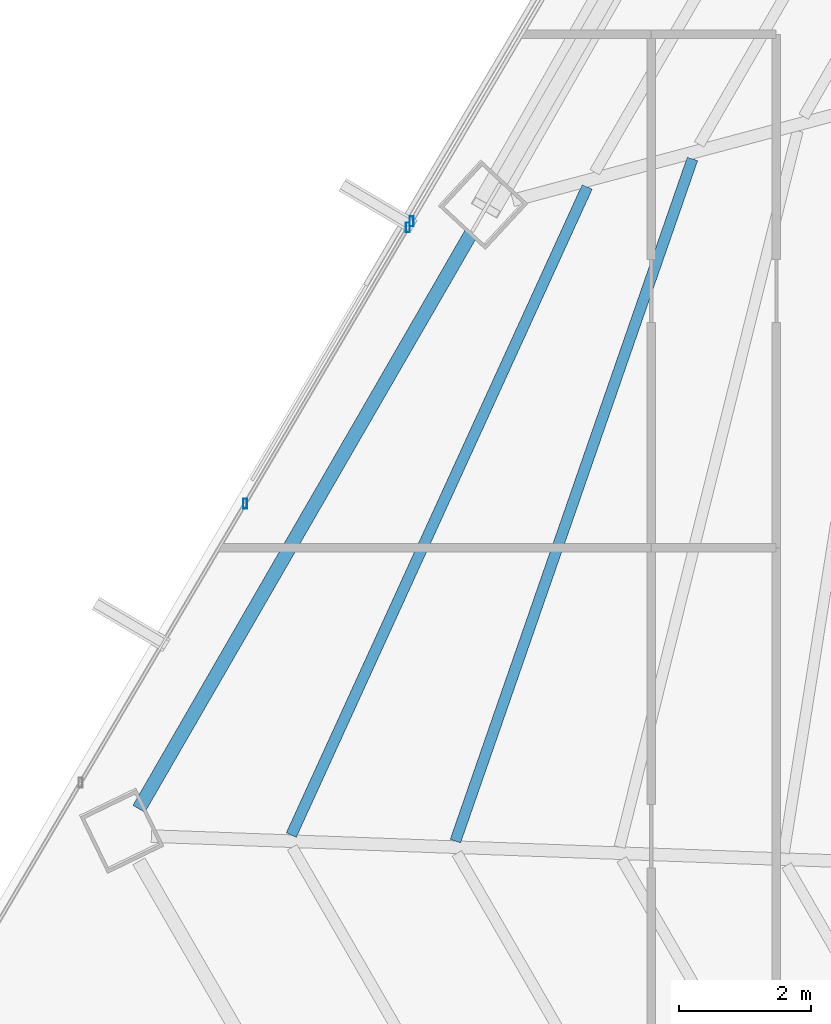
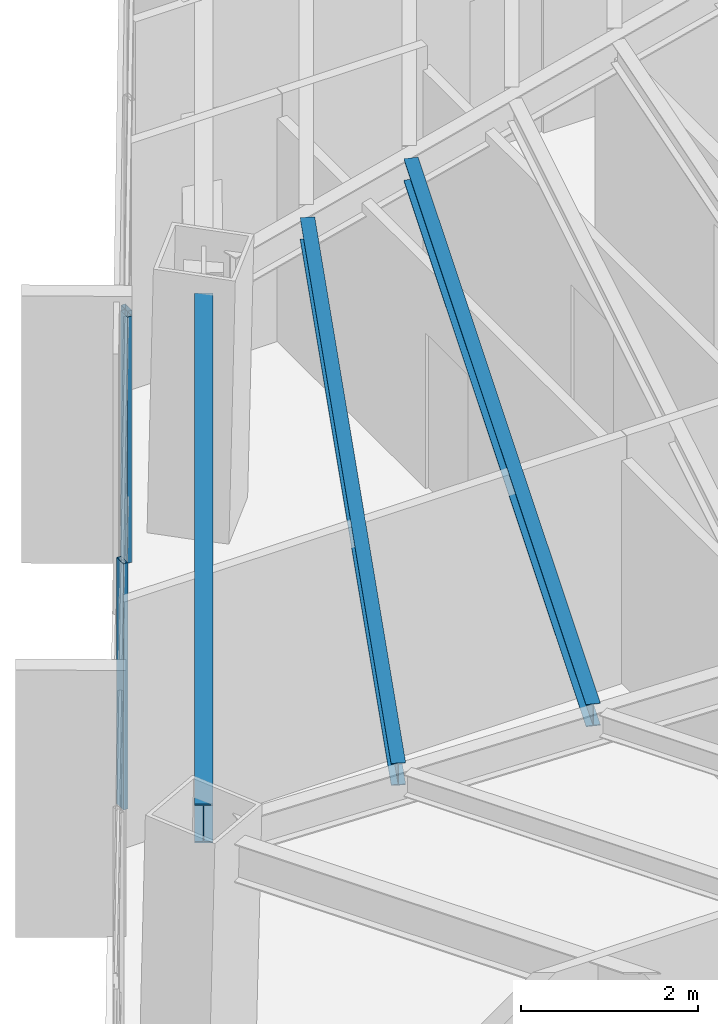
# One storey, part 12 of 41: 3 beams, 3 members, 2 elements without a shape of their own.
"""IFC4 building model written with IfcOpenShell, lengths in metres."""

from ifc_helpers import new_model, si_unit, direction, frame, origin, origin_2d, place, context, subcontext, project, spatial, hollow_rectangle, i_section, extrude, source, transform, mapped, material, material_profile, profile_set, type_object, type_shapes, element, aggregate, save


model = new_model("IFC4")

# Units and contexts
model_context = context("Model", 3, precision=1e-05, world=origin(), true_north=direction((0.0, 1.0)))
body_context = subcontext(model_context, "Body", "Model", "MODEL_VIEW")
ifc_project = project(units=[si_unit("LENGTHUNIT", "METRE"), si_unit("AREAUNIT", "SQUARE_METRE"), si_unit("VOLUMEUNIT", "CUBIC_METRE"), si_unit("PLANEANGLEUNIT", "RADIAN"), si_unit("MASSUNIT", "GRAM", prefix="KILO")], contexts=[model_context])

# Site, building, storey
site_placement = place(None, origin())
site = spatial("IfcSite", under=ifc_project, at=site_placement, CompositionType="ELEMENT")
building_placement = place(site_placement, origin())
building = spatial("IfcBuilding", under=site, at=building_placement, Name="Caelisora Broadcast Tower", CompositionType="ELEMENT")
storey_placement = place(building_placement, frame((0.0, 0.0, 162.14990234375)))
storey = spatial("IfcBuildingStorey", under=building, at=storey_placement, Name="L42", CompositionType="ELEMENT", Elevation=162.14990234375)

# Beams
ifc_material_1 = material(Name="Steel Grade 350 (AS/NZS 3679.1)", Category="steel")
ifc_material_profile_1 = material_profile(ifc_material_1, i_section(OverallWidth=0.208984375, OverallDepth=0.532958984375, WebThickness=0.01025390625, FlangeThickness=0.015625, at=origin_2d()), Name="Steel Grade 350 (AS/NZS 3679.1)")
ifc_profile_set_1 = profile_set([ifc_material_profile_1], Name="Steel Grade 350 (AS/NZS 3679.1)")
beam_type_1 = type_object("IfcBeamType", Name="PG05", PredefinedType="BEAM", material=ifc_profile_set_1)
shared_shape_1 = source(origin(), body_context, "Body", "SweptSolid", [
    extrude(i_section(OverallWidth=0.208984375, OverallDepth=0.532958984375, WebThickness=0.01025390625, FlangeThickness=0.015625, at=origin_2d()), origin(), (0.0, 0.0, 1.0), 10.07568359375),
])
type_shapes(beam_type_1, [shared_shape_1])
beam_1_placement = place(storey_placement, frame((20.763916015625, 27.071533203125, 3.133544921875), z_axis=(-0.49999861938, -0.866026200884, 0.0), x_axis=(0.866026200884, -0.49999861938, 0.0)))
element("IfcBeam", 1, at=beam_1_placement, inside=storey, type_object=beam_type_1, Name="L42 beam PG05", PredefinedType="BEAM", context=body_context, shape_type="MappedRepresentation", body=[
    mapped(shared_shape_1, transform((0.0, 0.0, 0.0), scale=1.0)),
])
ifc_material_profile_2 = material_profile(ifc_material_1, i_section(OverallWidth=0.166015625, OverallDepth=0.30712890625, WebThickness=0.006591796875, FlangeThickness=0.01171875, at=origin_2d()), Name="Steel Grade 350 (AS/NZS 3679.1)")
ifc_profile_set_2 = profile_set([ifc_material_profile_2], Name="Steel Grade 350 (AS/NZS 3679.1)")
beam_type_2 = type_object("IfcBeamType", Name="SB03", PredefinedType="JOIST", material=ifc_profile_set_2)
shared_shape_2 = source(origin(), body_context, "Body", "SweptSolid", [
    extrude(i_section(OverallWidth=0.166015625, OverallDepth=0.30712890625, WebThickness=0.006591796875, FlangeThickness=0.01171875, at=origin_2d()), origin(), (0.0, 0.0, 1.0), 10.957763671875),
])
beam_2_placement = place(storey_placement, frame((24.125732421875, 28.207275390625, 3.24658203125), z_axis=(-0.328206920724, -0.944605852824, 0.0), x_axis=(0.944605852824, -0.328206920724, 0.0)))
element("IfcBeam", 2, at=beam_2_placement, inside=storey, type_object=beam_type_2, Name="L42 beam SB03", PredefinedType="JOIST", context=body_context, shape_type="MappedRepresentation", body=[
    mapped(shared_shape_2, transform((0.0, 0.0, 0.0), scale=1.0)),
])
shared_shape_3 = source(origin(), body_context, "Body", "SweptSolid", [
    extrude(i_section(OverallWidth=0.166015625, OverallDepth=0.30712890625, WebThickness=0.006591796875, FlangeThickness=0.01171875, at=origin_2d()), origin(), (0.0, 0.0, 1.0), 10.81103515625),
])
type_shapes(beam_type_2, [shared_shape_2, shared_shape_3])
beam_3_placement = place(storey_placement, frame((22.5283203125, 27.781982421875, 3.24658203125), z_axis=(-0.415318349989, -0.909676133666, 0.0), x_axis=(0.909676133666, -0.415318349989, 0.0)))
element("IfcBeam", 3, at=beam_3_placement, inside=storey, type_object=beam_type_2, Name="L42 beam SB03", PredefinedType="JOIST", context=body_context, shape_type="MappedRepresentation", body=[
    mapped(shared_shape_3, transform((0.0, 0.0, 0.0), scale=1.0)),
])

# Curtain wall, members
ifc_material_2 = material(Name="Unitised Aluminium and Low-E Glass Curtain Wall", Category="glass")
curtain_wall_type_1 = type_object("IfcCurtainWallType", Name="CW-Z3", PredefinedType="NOTDEFINED", material=ifc_material_2)
curtain_wall_1_placement = place(storey_placement, origin())
curtain_wall_1 = element("IfcCurtainWall", 4, at=curtain_wall_1_placement, inside=storey, type_object=curtain_wall_type_1, Name="L42 curtain wall CW-Z3", PredefinedType="NOTDEFINED")
ifc_material_3 = material(Name="Aluminium 6063-T6 Anodised Terracotta Bronze", Category="aluminium")
ifc_material_profile_3 = material_profile(ifc_material_3, hollow_rectangle(XDim=0.06005859375, YDim=0.14990234375, WallThickness=0.00341796875, at=origin_2d()), Name="Aluminium 6063-T6 Anodised Terracotta Bronze")
ifc_profile_set_3 = profile_set([ifc_material_profile_3], Name="Aluminium 6063-T6 Anodised Terracotta Bronze")
member_type = type_object("IfcMemberType", Name="CWM-03", PredefinedType="MULLION", material=ifc_profile_set_3)
shared_shape_4 = source(origin(), body_context, "Body", "SweptSolid", [
    extrude(hollow_rectangle(XDim=0.06005859375, YDim=0.14990234375, WallThickness=0.00341796875, at=origin_2d()), origin(), (0.0, 0.0, 1.0), 3.400146484375),
])
type_shapes(member_type, [shared_shape_4])
member_1_placement = place(storey_placement, frame((17.33740234375, 22.97607421875, 0.0), z_axis=(0.0, 0.0, 1.0), x_axis=(1.0, 0.0, 0.0)))
member_1 = element("IfcMember", 5, at=member_1_placement, type_object=member_type, Name="L42-CW-B09 mullion #2", PredefinedType="MULLION", context=body_context, shape_type="MappedRepresentation", body=[
    mapped(shared_shape_4, transform((0.0, 0.0, 0.0), scale=1.0)),
])
member_2_placement = place(storey_placement, frame((19.80810546875, 27.166015625, 0.0), z_axis=(0.0, 0.0, 1.0), x_axis=(1.0, 0.0, 0.0)))
member_2 = element("IfcMember", 6, at=member_2_placement, type_object=member_type, Name="L42-CW-B09 mullion #3", PredefinedType="MULLION", context=body_context, shape_type="MappedRepresentation", body=[
    mapped(shared_shape_4, transform((0.0, 0.0, 0.0), scale=1.0)),
])
aggregate(curtain_wall_1, [member_1, member_2])

# Curtain wall, member
ifc_material_4 = material(Name="Unitised Aluminium Insulated Shadow-Box Spandrel Curtain Wall", Category="aluminium")
curtain_wall_type_2 = type_object("IfcCurtainWallType", Name="CW-SP2", PredefinedType="NOTDEFINED", material=ifc_material_4)
curtain_wall_2_placement = place(storey_placement, origin())
curtain_wall_2 = element("IfcCurtainWall", 7, at=curtain_wall_2_placement, inside=storey, type_object=curtain_wall_type_2, Name="L42 curtain wall CW-SP2", PredefinedType="NOTDEFINED")
member_3_placement = place(storey_placement, frame((19.864013671875, 27.2607421875, 0.0), z_axis=(0.0, 0.0, 1.0), x_axis=(1.0, 0.0, 0.0)))
member_3 = element("IfcMember", 8, at=member_3_placement, type_object=member_type, Name="L42-CW-B10 mullion #0", PredefinedType="MULLION", context=body_context, shape_type="MappedRepresentation", body=[
    mapped(shared_shape_4, transform((0.0, 0.0, 0.0), scale=1.0)),
])
aggregate(curtain_wall_2, [member_3])

save(model, "model.ifc")
